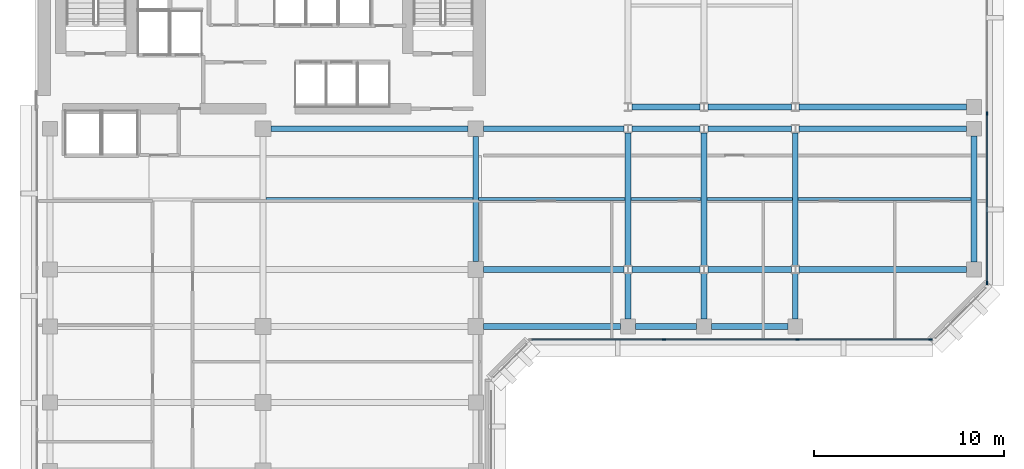
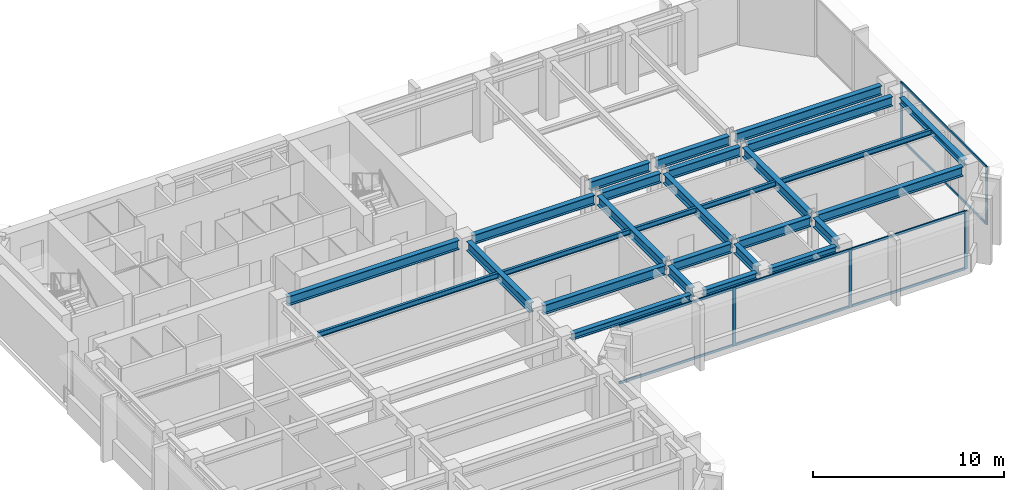
# One storey, part 3 of 12: 28 beams, 13 members, 2 elements without a shape of their own.
"""IFC4 building model written with IfcOpenShell, lengths in metres."""

from ifc_helpers import new_model, si_unit, direction, frame, origin, origin_2d, place, context, subcontext, project, spatial, rectangle, i_section, extrude, material, layer, layer_set, material_profile, profile_set, type_object, element, aggregate, save


model = new_model("IFC4")

# Units and contexts
model_context = context("Model", 3, precision=1e-05, world=origin(), true_north=direction((0.0, 1.0)))
body_context = subcontext(model_context, "Body", "Model", "MODEL_VIEW")
ifc_project = project(units=[si_unit("LENGTHUNIT", "METRE"), si_unit("AREAUNIT", "SQUARE_METRE"), si_unit("VOLUMEUNIT", "CUBIC_METRE"), si_unit("PLANEANGLEUNIT", "RADIAN"), si_unit("MASSUNIT", "GRAM", prefix="KILO")], contexts=[model_context])

# Site, building, storey
site_placement = place(None, origin())
site = spatial("IfcSite", under=ifc_project, at=site_placement, CompositionType="ELEMENT")
building_placement = place(site_placement, origin())
building = spatial("IfcBuilding", under=site, at=building_placement, Name="Kefirva Bronze Tower", CompositionType="ELEMENT")
storey_placement = place(building_placement, frame((0.0, 0.0, 195.360107421875)))
storey = spatial("IfcBuildingStorey", under=building, at=storey_placement, Name="L47", CompositionType="ELEMENT", Elevation=195.360107421875)

# Curtain wall, members
ifc_material_1 = material(Name="Bronze anodised aluminium", Category="aluminium")
ifc_layer = layer(ifc_material_1, 0.179931640625, Name="Bronze anodised aluminium")
ifc_layer_set = layer_set([ifc_layer], Name="Bronze anodised aluminium")
curtain_wall_type = type_object("IfcCurtainWallType", Name="Unitised Bronze Ribbon Curtain Wall Zone 3", PredefinedType="USERDEFINED", material=ifc_layer_set)
curtain_wall_1_placement = place(storey_placement, origin())
curtain_wall_1 = element("IfcCurtainWall", 1, at=curtain_wall_1_placement, inside=storey, type_object=curtain_wall_type, Name="L47 Curtain Wall 2", ObjectType="UNITISED CURTAIN WALL", PredefinedType="USERDEFINED")
ifc_material_profile_1 = material_profile(ifc_material_1, rectangle(XDim=0.074951171875, YDim=0.179931640625, at=origin_2d()), Name="ALU 75x180")
ifc_profile_set_1 = profile_set([ifc_material_profile_1], Name="Bronze anodised aluminium")
member_type_1 = type_object("IfcMemberType", Name="Bronze Mullion 75x180", PredefinedType="MULLION", material=ifc_profile_set_1)
member_1_placement = place(storey_placement, frame((33.0849609375, 22.1201171875, 0.0), z_axis=(0.0, 0.0, 1.0), x_axis=(0.0, 1.0, 0.0)))
member_1 = element("IfcMember", 2, at=member_1_placement, type_object=member_type_1, Name="CW-03 mullion 2", PredefinedType="MULLION", context=body_context, shape_type="SweptSolid", body=[
    extrude(rectangle(XDim=0.074951171875, YDim=0.179931640625, at=origin_2d()), origin(), (0.0, 0.0, 1.0), 3.7099609375),
])
member_2_placement = place(storey_placement, frame((40.114990234375, 22.1201171875, 0.0), z_axis=(0.0, 0.0, 1.0), x_axis=(0.0, 1.0, 0.0)))
member_2 = element("IfcMember", 3, at=member_2_placement, type_object=member_type_1, Name="CW-03 mullion 3", PredefinedType="MULLION", context=body_context, shape_type="SweptSolid", body=[
    extrude(rectangle(XDim=0.074951171875, YDim=0.179931640625, at=origin_2d()), origin(), (0.0, 0.0, 1.0), 3.7099609375),
])
member_3_placement = place(storey_placement, frame((47.107421875, 22.1201171875, 0.0), z_axis=(0.0, 0.0, 1.0), x_axis=(0.0, 1.0, 0.0)))
member_3 = element("IfcMember", 4, at=member_3_placement, type_object=member_type_1, Name="CW-03 mullion 4", PredefinedType="MULLION", context=body_context, shape_type="SweptSolid", body=[
    extrude(rectangle(XDim=0.074951171875, YDim=0.179931640625, at=origin_2d()), origin(), (0.0, 0.0, 1.0), 3.7099609375),
])

curtain_wall_2_placement = place(storey_placement, origin())
curtain_wall_2 = element("IfcCurtainWall", 5, at=curtain_wall_2_placement, inside=storey, type_object=curtain_wall_type, Name="L47 Curtain Wall 3", ObjectType="UNITISED CURTAIN WALL", PredefinedType="USERDEFINED")
member_4_placement = place(storey_placement, frame((50.080078125, 25.092529296875, 0.0), z_axis=(0.0, 0.0, 1.0), x_axis=(-1.0, 0.0, 0.0)))
member_4 = element("IfcMember", 6, at=member_4_placement, type_object=member_type_1, Name="CW-03 mullion 1", PredefinedType="MULLION", context=body_context, shape_type="SweptSolid", body=[
    extrude(rectangle(XDim=0.074951171875, YDim=0.179931640625, at=origin_2d()), origin(), (0.0, 0.0, 1.0), 3.7099609375),
])
member_5_placement = place(storey_placement, frame((50.080078125, 34.0, 0.0), z_axis=(0.0, 0.0, 1.0), x_axis=(-1.0, 0.0, 0.0)))
member_5 = element("IfcMember", 7, at=member_5_placement, type_object=member_type_1, Name="CW-03 mullion 2", PredefinedType="MULLION", context=body_context, shape_type="SweptSolid", body=[
    extrude(rectangle(XDim=0.074951171875, YDim=0.179931640625, at=origin_2d()), origin(), (0.0, 0.0, 1.0), 3.7099609375),
])

# Member
ifc_material_profile_2 = material_profile(ifc_material_1, rectangle(XDim=0.074951171875, YDim=0.14990234375, at=origin_2d()), Name="ALU 75x150")
ifc_profile_set_2 = profile_set([ifc_material_profile_2], Name="Bronze anodised aluminium")
member_type_2 = type_object("IfcMemberType", Name="Bronze Transom 75x150", PredefinedType="USERDEFINED", material=ifc_profile_set_2)
member_6_placement = place(storey_placement, frame((26.1298828125, 22.1201171875, 0.037353515625), z_axis=(1.0, 0.0, 0.0), x_axis=(0.0, 1.0, 0.0)))
member_6 = element("IfcMember", 8, at=member_6_placement, type_object=member_type_2, Name="CW-03 transom 1.1", ObjectType="TRANSOM", PredefinedType="USERDEFINED", context=body_context, shape_type="SweptSolid", body=[
    extrude(rectangle(XDim=0.074951171875, YDim=0.14990234375, at=origin_2d()), origin(), (0.0, 0.0, 1.0), 6.917724609375),
])

member_7_placement = place(storey_placement, frame((26.1298828125, 22.1201171875, 3.67236328125), z_axis=(1.0, 0.0, 0.0), x_axis=(0.0, 1.0, 0.0)))
member_7 = element("IfcMember", 9, at=member_7_placement, type_object=member_type_2, Name="CW-03 transom 1.2", ObjectType="TRANSOM", PredefinedType="USERDEFINED", context=body_context, shape_type="SweptSolid", body=[
    extrude(rectangle(XDim=0.074951171875, YDim=0.14990234375, at=origin_2d()), origin(), (0.0, 0.0, 1.0), 6.917724609375),
])

member_8_placement = place(storey_placement, frame((33.12255859375, 22.1201171875, 0.037353515625), z_axis=(1.0, 0.0, 0.0), x_axis=(0.0, 1.0, 0.0)))
member_8 = element("IfcMember", 10, at=member_8_placement, type_object=member_type_2, Name="CW-03 transom 2.1", ObjectType="TRANSOM", PredefinedType="USERDEFINED", context=body_context, shape_type="SweptSolid", body=[
    extrude(rectangle(XDim=0.074951171875, YDim=0.14990234375, at=origin_2d()), origin(), (0.0, 0.0, 1.0), 6.954833984375),
])

member_9_placement = place(storey_placement, frame((33.12255859375, 22.1201171875, 3.67236328125), z_axis=(1.0, 0.0, 0.0), x_axis=(0.0, 1.0, 0.0)))
member_9 = element("IfcMember", 11, at=member_9_placement, type_object=member_type_2, Name="CW-03 transom 2.2", ObjectType="TRANSOM", PredefinedType="USERDEFINED", context=body_context, shape_type="SweptSolid", body=[
    extrude(rectangle(XDim=0.074951171875, YDim=0.14990234375, at=origin_2d()), origin(), (0.0, 0.0, 1.0), 6.954833984375),
])

member_10_placement = place(storey_placement, frame((40.152587890625, 22.1201171875, 0.037353515625), z_axis=(1.0, 0.0, 0.0), x_axis=(0.0, 1.0, 0.0)))
member_10 = element("IfcMember", 12, at=member_10_placement, type_object=member_type_2, Name="CW-03 transom 3.1", ObjectType="TRANSOM", PredefinedType="USERDEFINED", context=body_context, shape_type="SweptSolid", body=[
    extrude(rectangle(XDim=0.074951171875, YDim=0.14990234375, at=origin_2d()), origin(), (0.0, 0.0, 1.0), 6.91748046875),
])

member_11_placement = place(storey_placement, frame((40.152587890625, 22.1201171875, 3.67236328125), z_axis=(1.0, 0.0, 0.0), x_axis=(0.0, 1.0, 0.0)))
member_11 = element("IfcMember", 13, at=member_11_placement, type_object=member_type_2, Name="CW-03 transom 3.2", ObjectType="TRANSOM", PredefinedType="USERDEFINED", context=body_context, shape_type="SweptSolid", body=[
    extrude(rectangle(XDim=0.074951171875, YDim=0.14990234375, at=origin_2d()), origin(), (0.0, 0.0, 1.0), 6.91748046875),
])

aggregate(curtain_wall_1, [member_1, member_2, member_3, member_6, member_7, member_8, member_9, member_10, member_11])

member_12_placement = place(storey_placement, frame((50.080078125, 25.1298828125, 0.037353515625), z_axis=(0.0, 1.0, 0.0), x_axis=(-1.0, 0.0, 0.0)))
member_12 = element("IfcMember", 14, at=member_12_placement, type_object=member_type_2, Name="CW-03 transom 1.1", ObjectType="TRANSOM", PredefinedType="USERDEFINED", context=body_context, shape_type="SweptSolid", body=[
    extrude(rectangle(XDim=0.074951171875, YDim=0.14990234375, at=origin_2d()), origin(), (0.0, 0.0, 1.0), 8.83251953125),
])

member_13_placement = place(storey_placement, frame((50.080078125, 25.1298828125, 3.67236328125), z_axis=(0.0, 1.0, 0.0), x_axis=(-1.0, 0.0, 0.0)))
member_13 = element("IfcMember", 15, at=member_13_placement, type_object=member_type_2, Name="CW-03 transom 1.2", ObjectType="TRANSOM", PredefinedType="USERDEFINED", context=body_context, shape_type="SweptSolid", body=[
    extrude(rectangle(XDim=0.074951171875, YDim=0.14990234375, at=origin_2d()), origin(), (0.0, 0.0, 1.0), 8.83251953125),
])

aggregate(curtain_wall_2, [member_4, member_5, member_12, member_13])

# Beams
ifc_material_2 = material(Name="Steel S355", Category="steel")
ifc_material_profile_3 = material_profile(ifc_material_2, i_section(OverallWidth=0.159912109375, OverallDepth=0.330078125, WebThickness=0.007568359375, FlangeThickness=0.011474609375, at=origin_2d()), Name="IPE 330")
ifc_profile_set_3 = profile_set([ifc_material_profile_3], Name="Steel S355")
beam_type_1 = type_object("IfcBeamType", Name="Steel Floor Joist IPE 330", PredefinedType="JOIST", material=ifc_profile_set_3)
beam_1_placement = place(storey_placement, frame((12.14990234375, 29.5, 3.544921875), z_axis=(1.0, 0.0, 0.0), x_axis=(0.0, 1.0, 0.0)))
element("IfcBeam", 16, at=beam_1_placement, inside=storey, type_object=beam_type_1, Name="L47 JST-L47-12-295", PredefinedType="JOIST", context=body_context, shape_type="SweptSolid", body=[
    extrude(i_section(OverallWidth=0.159912109375, OverallDepth=0.330078125, WebThickness=0.007568359375, FlangeThickness=0.011474609375, at=origin_2d()), origin(), (0.0, 0.0, 1.0), 10.900146484375),
])
beam_2_placement = place(storey_placement, frame((23.35009765625, 29.5, 3.544921875), z_axis=(1.0, 0.0, 0.0), x_axis=(0.0, 1.0, 0.0)))
element("IfcBeam", 17, at=beam_2_placement, inside=storey, type_object=beam_type_1, Name="L47 JST-L47-23-295", PredefinedType="JOIST", context=body_context, shape_type="SweptSolid", body=[
    extrude(i_section(OverallWidth=0.159912109375, OverallDepth=0.330078125, WebThickness=0.007568359375, FlangeThickness=0.011474609375, at=origin_2d()), origin(), (0.0, 0.0, 1.0), 7.699951171875),
])
beam_3_placement = place(storey_placement, frame((31.35009765625, 29.5, 3.544921875), z_axis=(1.0, 0.0, 0.0), x_axis=(0.0, 1.0, 0.0)))
element("IfcBeam", 18, at=beam_3_placement, inside=storey, type_object=beam_type_1, Name="L47 JST-L47-31-295", PredefinedType="JOIST", context=body_context, shape_type="SweptSolid", body=[
    extrude(i_section(OverallWidth=0.159912109375, OverallDepth=0.330078125, WebThickness=0.007568359375, FlangeThickness=0.011474609375, at=origin_2d()), origin(), (0.0, 0.0, 1.0), 3.699951171875),
])
beam_4_placement = place(storey_placement, frame((35.35009765625, 29.5, 3.544921875), z_axis=(1.0, 0.0, 0.0), x_axis=(0.0, 1.0, 0.0)))
element("IfcBeam", 19, at=beam_4_placement, inside=storey, type_object=beam_type_1, Name="L47 JST-L47-35-295", PredefinedType="JOIST", context=body_context, shape_type="SweptSolid", body=[
    extrude(i_section(OverallWidth=0.159912109375, OverallDepth=0.330078125, WebThickness=0.007568359375, FlangeThickness=0.011474609375, at=origin_2d()), origin(), (0.0, 0.0, 1.0), 4.5),
])
beam_5_placement = place(storey_placement, frame((40.14990234375, 29.5, 3.544921875), z_axis=(1.0, 0.0, 0.0), x_axis=(0.0, 1.0, 0.0)))
element("IfcBeam", 20, at=beam_5_placement, inside=storey, type_object=beam_type_1, Name="L47 JST-L47-40-295", PredefinedType="JOIST", context=body_context, shape_type="SweptSolid", body=[
    extrude(i_section(OverallWidth=0.159912109375, OverallDepth=0.330078125, WebThickness=0.007568359375, FlangeThickness=0.011474609375, at=origin_2d()), origin(), (0.0, 0.0, 1.0), 9.10009765625),
])
ifc_material_profile_4 = material_profile(ifc_material_2, i_section(OverallWidth=0.300048828125, OverallDepth=0.60009765625, WebThickness=0.015380859375, FlangeThickness=0.030029296875, at=origin_2d()), Name="HEB 600")
ifc_profile_set_4 = profile_set([ifc_material_profile_4], Name="Steel S355")
beam_type_2 = type_object("IfcBeamType", Name="Steel Girder HEB 600", PredefinedType="USERDEFINED", material=ifc_profile_set_4)
beam_6_placement = place(storey_placement, frame((23.610107421875, 25.800048828125, 3.409912109375), z_axis=(1.0, 0.0, 0.0), x_axis=(0.0, 1.0, 0.0)))
element("IfcBeam", 21, at=beam_6_placement, inside=storey, type_object=beam_type_2, Name="L47 BM-L47-EW-23-258", ObjectType="GIRDER", PredefinedType="USERDEFINED", context=body_context, shape_type="SweptSolid", body=[
    extrude(i_section(OverallWidth=0.300048828125, OverallDepth=0.60009765625, WebThickness=0.015380859375, FlangeThickness=0.030029296875, at=origin_2d()), origin(), (0.0, 0.0, 1.0), 7.3837890625),
])
beam_7_placement = place(storey_placement, frame((31.406005859375, 25.800048828125, 3.409912109375), z_axis=(1.0, 0.0, 0.0), x_axis=(0.0, 1.0, 0.0)))
element("IfcBeam", 22, at=beam_7_placement, inside=storey, type_object=beam_type_2, Name="L47 BM-L47-EW-31-258", ObjectType="GIRDER", PredefinedType="USERDEFINED", context=body_context, shape_type="SweptSolid", body=[
    extrude(i_section(OverallWidth=0.300048828125, OverallDepth=0.60009765625, WebThickness=0.015380859375, FlangeThickness=0.030029296875, at=origin_2d()), origin(), (0.0, 0.0, 1.0), 3.587890625),
])
beam_8_placement = place(storey_placement, frame((35.406005859375, 25.800048828125, 3.409912109375), z_axis=(1.0, 0.0, 0.0), x_axis=(0.0, 1.0, 0.0)))
element("IfcBeam", 23, at=beam_8_placement, inside=storey, type_object=beam_type_2, Name="L47 BM-L47-EW-35-258", ObjectType="GIRDER", PredefinedType="USERDEFINED", context=body_context, shape_type="SweptSolid", body=[
    extrude(i_section(OverallWidth=0.300048828125, OverallDepth=0.60009765625, WebThickness=0.015380859375, FlangeThickness=0.030029296875, at=origin_2d()), origin(), (0.0, 0.0, 1.0), 4.387939453125),
])
beam_9_placement = place(storey_placement, frame((40.2060546875, 25.800048828125, 3.409912109375), z_axis=(1.0, 0.0, 0.0), x_axis=(0.0, 1.0, 0.0)))
element("IfcBeam", 24, at=beam_9_placement, inside=storey, type_object=beam_type_2, Name="L47 BM-L47-EW-40-258", ObjectType="GIRDER", PredefinedType="USERDEFINED", context=body_context, shape_type="SweptSolid", body=[
    extrude(i_section(OverallWidth=0.300048828125, OverallDepth=0.60009765625, WebThickness=0.015380859375, FlangeThickness=0.030029296875, at=origin_2d()), origin(), (0.0, 0.0, 1.0), 8.803955078125),
])
beam_10_placement = place(storey_placement, frame((12.409912109375, 33.199951171875, 3.409912109375), z_axis=(1.0, 0.0, 0.0), x_axis=(0.0, 1.0, 0.0)))
element("IfcBeam", 25, at=beam_10_placement, inside=storey, type_object=beam_type_2, Name="L47 BM-L47-EW-12-332", ObjectType="GIRDER", PredefinedType="USERDEFINED", context=body_context, shape_type="SweptSolid", body=[
    extrude(i_section(OverallWidth=0.300048828125, OverallDepth=0.60009765625, WebThickness=0.015380859375, FlangeThickness=0.030029296875, at=origin_2d()), origin(), (0.0, 0.0, 1.0), 10.380126953125),
])
beam_11_placement = place(storey_placement, frame((23.610107421875, 33.199951171875, 3.409912109375), z_axis=(1.0, 0.0, 0.0), x_axis=(0.0, 1.0, 0.0)))
element("IfcBeam", 26, at=beam_11_placement, inside=storey, type_object=beam_type_2, Name="L47 BM-L47-EW-23-332", ObjectType="GIRDER", PredefinedType="USERDEFINED", context=body_context, shape_type="SweptSolid", body=[
    extrude(i_section(OverallWidth=0.300048828125, OverallDepth=0.60009765625, WebThickness=0.015380859375, FlangeThickness=0.030029296875, at=origin_2d()), origin(), (0.0, 0.0, 1.0), 7.3837890625),
])
beam_12_placement = place(storey_placement, frame((31.406005859375, 33.199951171875, 3.409912109375), z_axis=(1.0, 0.0, 0.0), x_axis=(0.0, 1.0, 0.0)))
element("IfcBeam", 27, at=beam_12_placement, inside=storey, type_object=beam_type_2, Name="L47 BM-L47-EW-31-332", ObjectType="GIRDER", PredefinedType="USERDEFINED", context=body_context, shape_type="SweptSolid", body=[
    extrude(i_section(OverallWidth=0.300048828125, OverallDepth=0.60009765625, WebThickness=0.015380859375, FlangeThickness=0.030029296875, at=origin_2d()), origin(), (0.0, 0.0, 1.0), 3.587890625),
])
beam_13_placement = place(storey_placement, frame((35.406005859375, 33.199951171875, 3.409912109375), z_axis=(1.0, 0.0, 0.0), x_axis=(0.0, 1.0, 0.0)))
element("IfcBeam", 28, at=beam_13_placement, inside=storey, type_object=beam_type_2, Name="L47 BM-L47-EW-35-332", ObjectType="GIRDER", PredefinedType="USERDEFINED", context=body_context, shape_type="SweptSolid", body=[
    extrude(i_section(OverallWidth=0.300048828125, OverallDepth=0.60009765625, WebThickness=0.015380859375, FlangeThickness=0.030029296875, at=origin_2d()), origin(), (0.0, 0.0, 1.0), 4.387939453125),
])
beam_14_placement = place(storey_placement, frame((40.2060546875, 33.199951171875, 3.409912109375), z_axis=(1.0, 0.0, 0.0), x_axis=(0.0, 1.0, 0.0)))
element("IfcBeam", 29, at=beam_14_placement, inside=storey, type_object=beam_type_2, Name="L47 BM-L47-EW-40-332", ObjectType="GIRDER", PredefinedType="USERDEFINED", context=body_context, shape_type="SweptSolid", body=[
    extrude(i_section(OverallWidth=0.300048828125, OverallDepth=0.60009765625, WebThickness=0.015380859375, FlangeThickness=0.030029296875, at=origin_2d()), origin(), (0.0, 0.0, 1.0), 8.803955078125),
])
beam_15_placement = place(storey_placement, frame((31.406005859375, 34.35009765625, 3.409912109375), z_axis=(1.0, 0.0, 0.0), x_axis=(0.0, 1.0, 0.0)))
element("IfcBeam", 30, at=beam_15_placement, inside=storey, type_object=beam_type_2, Name="L47 BM-L47-EW-31-344", ObjectType="GIRDER", PredefinedType="USERDEFINED", context=body_context, shape_type="SweptSolid", body=[
    extrude(i_section(OverallWidth=0.300048828125, OverallDepth=0.60009765625, WebThickness=0.015380859375, FlangeThickness=0.030029296875, at=origin_2d()), origin(), (0.0, 0.0, 1.0), 3.587890625),
])
beam_16_placement = place(storey_placement, frame((35.406005859375, 34.35009765625, 3.409912109375), z_axis=(1.0, 0.0, 0.0), x_axis=(0.0, 1.0, 0.0)))
element("IfcBeam", 31, at=beam_16_placement, inside=storey, type_object=beam_type_2, Name="L47 BM-L47-EW-35-344", ObjectType="GIRDER", PredefinedType="USERDEFINED", context=body_context, shape_type="SweptSolid", body=[
    extrude(i_section(OverallWidth=0.300048828125, OverallDepth=0.60009765625, WebThickness=0.015380859375, FlangeThickness=0.030029296875, at=origin_2d()), origin(), (0.0, 0.0, 1.0), 4.387939453125),
])
beam_17_placement = place(storey_placement, frame((40.2060546875, 34.35009765625, 3.409912109375), z_axis=(1.0, 0.0, 0.0), x_axis=(0.0, 1.0, 0.0)))
element("IfcBeam", 32, at=beam_17_placement, inside=storey, type_object=beam_type_2, Name="L47 BM-L47-EW-40-344", ObjectType="GIRDER", PredefinedType="USERDEFINED", context=body_context, shape_type="SweptSolid", body=[
    extrude(i_section(OverallWidth=0.300048828125, OverallDepth=0.60009765625, WebThickness=0.015380859375, FlangeThickness=0.030029296875, at=origin_2d()), origin(), (0.0, 0.0, 1.0), 8.803955078125),
])
beam_18_placement = place(storey_placement, frame((23.199951171875, 26.2099609375, 3.409912109375), z_axis=(0.0, 1.0, 0.0), x_axis=(-1.0, 0.0, 0.0)))
element("IfcBeam", 33, at=beam_18_placement, inside=storey, type_object=beam_type_2, Name="L47 BM-L47-NS-232-25", ObjectType="GIRDER", PredefinedType="USERDEFINED", context=body_context, shape_type="SweptSolid", body=[
    extrude(i_section(OverallWidth=0.300048828125, OverallDepth=0.60009765625, WebThickness=0.015380859375, FlangeThickness=0.030029296875, at=origin_2d()), origin(), (0.0, 0.0, 1.0), 6.580078125),
])
beam_19_placement = place(storey_placement, frame((31.199951171875, 23.18994140625, 3.409912109375), z_axis=(0.0, 1.0, 0.0), x_axis=(-1.0, 0.0, 0.0)))
element("IfcBeam", 34, at=beam_19_placement, inside=storey, type_object=beam_type_2, Name="L47 BM-L47-NS-312-22", ObjectType="GIRDER", PredefinedType="USERDEFINED", context=body_context, shape_type="SweptSolid", body=[
    extrude(i_section(OverallWidth=0.300048828125, OverallDepth=0.60009765625, WebThickness=0.015380859375, FlangeThickness=0.030029296875, at=origin_2d()), origin(), (0.0, 0.0, 1.0), 2.392578125),
])
beam_20_placement = place(storey_placement, frame((31.199951171875, 26.017578125, 3.409912109375), z_axis=(0.0, 1.0, 0.0), x_axis=(-1.0, 0.0, 0.0)))
element("IfcBeam", 35, at=beam_20_placement, inside=storey, type_object=beam_type_2, Name="L47 BM-L47-NS-312-25", ObjectType="GIRDER", PredefinedType="USERDEFINED", context=body_context, shape_type="SweptSolid", body=[
    extrude(i_section(OverallWidth=0.300048828125, OverallDepth=0.60009765625, WebThickness=0.015380859375, FlangeThickness=0.030029296875, at=origin_2d()), origin(), (0.0, 0.0, 1.0), 6.96484375),
])
beam_21_placement = place(storey_placement, frame((35.199951171875, 23.18994140625, 3.409912109375), z_axis=(0.0, 1.0, 0.0), x_axis=(-1.0, 0.0, 0.0)))
element("IfcBeam", 36, at=beam_21_placement, inside=storey, type_object=beam_type_2, Name="L47 BM-L47-NS-352-22", ObjectType="GIRDER", PredefinedType="USERDEFINED", context=body_context, shape_type="SweptSolid", body=[
    extrude(i_section(OverallWidth=0.300048828125, OverallDepth=0.60009765625, WebThickness=0.015380859375, FlangeThickness=0.030029296875, at=origin_2d()), origin(), (0.0, 0.0, 1.0), 2.392578125),
])
beam_22_placement = place(storey_placement, frame((35.199951171875, 26.017578125, 3.409912109375), z_axis=(0.0, 1.0, 0.0), x_axis=(-1.0, 0.0, 0.0)))
element("IfcBeam", 37, at=beam_22_placement, inside=storey, type_object=beam_type_2, Name="L47 BM-L47-NS-352-25", ObjectType="GIRDER", PredefinedType="USERDEFINED", context=body_context, shape_type="SweptSolid", body=[
    extrude(i_section(OverallWidth=0.300048828125, OverallDepth=0.60009765625, WebThickness=0.015380859375, FlangeThickness=0.030029296875, at=origin_2d()), origin(), (0.0, 0.0, 1.0), 6.96484375),
])
beam_23_placement = place(storey_placement, frame((40.0, 23.18994140625, 3.409912109375), z_axis=(0.0, 1.0, 0.0), x_axis=(-1.0, 0.0, 0.0)))
element("IfcBeam", 38, at=beam_23_placement, inside=storey, type_object=beam_type_2, Name="L47 BM-L47-NS-400-22", ObjectType="GIRDER", PredefinedType="USERDEFINED", context=body_context, shape_type="SweptSolid", body=[
    extrude(i_section(OverallWidth=0.300048828125, OverallDepth=0.60009765625, WebThickness=0.015380859375, FlangeThickness=0.030029296875, at=origin_2d()), origin(), (0.0, 0.0, 1.0), 2.392578125),
])
beam_24_placement = place(storey_placement, frame((40.0, 26.017578125, 3.409912109375), z_axis=(0.0, 1.0, 0.0), x_axis=(-1.0, 0.0, 0.0)))
element("IfcBeam", 39, at=beam_24_placement, inside=storey, type_object=beam_type_2, Name="L47 BM-L47-NS-400-25", ObjectType="GIRDER", PredefinedType="USERDEFINED", context=body_context, shape_type="SweptSolid", body=[
    extrude(i_section(OverallWidth=0.300048828125, OverallDepth=0.60009765625, WebThickness=0.015380859375, FlangeThickness=0.030029296875, at=origin_2d()), origin(), (0.0, 0.0, 1.0), 6.96484375),
])
ifc_material_profile_5 = material_profile(ifc_material_2, i_section(OverallWidth=0.300048828125, OverallDepth=0.39990234375, WebThickness=0.013427734375, FlangeThickness=0.02392578125, at=origin_2d()), Name="HEB 400")
ifc_profile_set_5 = profile_set([ifc_material_profile_5], Name="Steel S355")
beam_type_3 = type_object("IfcBeamType", Name="Steel Spandrel HEB 400 Ext", PredefinedType="SPANDREL", material=ifc_profile_set_5)
beam_25_placement = place(storey_placement, frame((23.610107421875, 22.800048828125, 3.510009765625), z_axis=(1.0, 0.0, 0.0), x_axis=(0.0, 1.0, 0.0)))
element("IfcBeam", 40, at=beam_25_placement, inside=storey, type_object=beam_type_3, Name="L47 BM-L47-EW-23-228", PredefinedType="SPANDREL", context=body_context, shape_type="SweptSolid", body=[
    extrude(i_section(OverallWidth=0.300048828125, OverallDepth=0.39990234375, WebThickness=0.013427734375, FlangeThickness=0.02392578125, at=origin_2d()), origin(), (0.0, 0.0, 1.0), 7.199951171875),
])
beam_26_placement = place(storey_placement, frame((31.590087890625, 22.800048828125, 3.510009765625), z_axis=(1.0, 0.0, 0.0), x_axis=(0.0, 1.0, 0.0)))
element("IfcBeam", 41, at=beam_26_placement, inside=storey, type_object=beam_type_3, Name="L47 BM-L47-EW-31-228", PredefinedType="SPANDREL", context=body_context, shape_type="SweptSolid", body=[
    extrude(i_section(OverallWidth=0.300048828125, OverallDepth=0.39990234375, WebThickness=0.013427734375, FlangeThickness=0.02392578125, at=origin_2d()), origin(), (0.0, 0.0, 1.0), 3.219970703125),
])
beam_27_placement = place(storey_placement, frame((35.590087890625, 22.800048828125, 3.510009765625), z_axis=(1.0, 0.0, 0.0), x_axis=(0.0, 1.0, 0.0)))
element("IfcBeam", 42, at=beam_27_placement, inside=storey, type_object=beam_type_3, Name="L47 BM-L47-EW-35-228", PredefinedType="SPANDREL", context=body_context, shape_type="SweptSolid", body=[
    extrude(i_section(OverallWidth=0.300048828125, OverallDepth=0.39990234375, WebThickness=0.013427734375, FlangeThickness=0.02392578125, at=origin_2d()), origin(), (0.0, 0.0, 1.0), 4.02001953125),
])
beam_28_placement = place(storey_placement, frame((49.39990234375, 26.18994140625, 3.510009765625), z_axis=(0.0, 1.0, 0.0), x_axis=(-1.0, 0.0, 0.0)))
element("IfcBeam", 43, at=beam_28_placement, inside=storey, type_object=beam_type_3, Name="L47 BM-L47-NS-494-25", PredefinedType="SPANDREL", context=body_context, shape_type="SweptSolid", body=[
    extrude(i_section(OverallWidth=0.300048828125, OverallDepth=0.39990234375, WebThickness=0.013427734375, FlangeThickness=0.02392578125, at=origin_2d()), origin(), (0.0, 0.0, 1.0), 6.6201171875),
])

save(model, "model.ifc")
